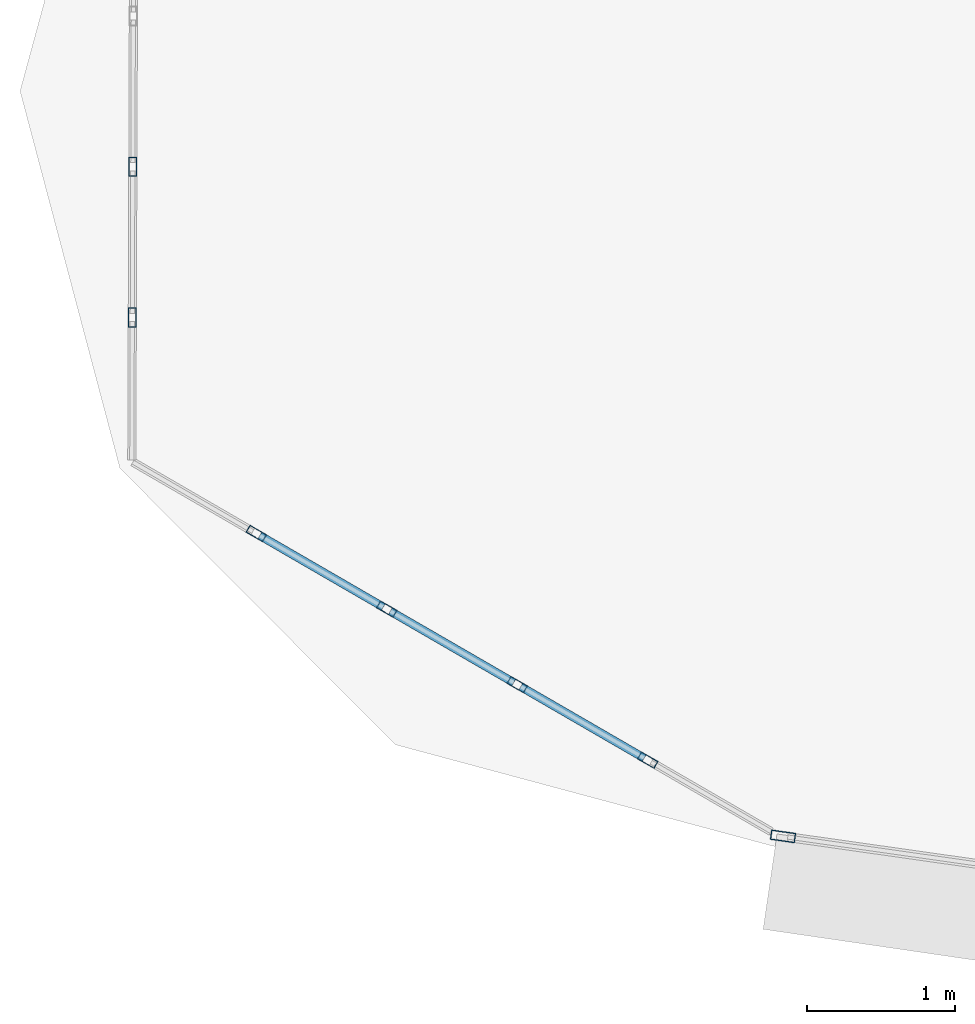
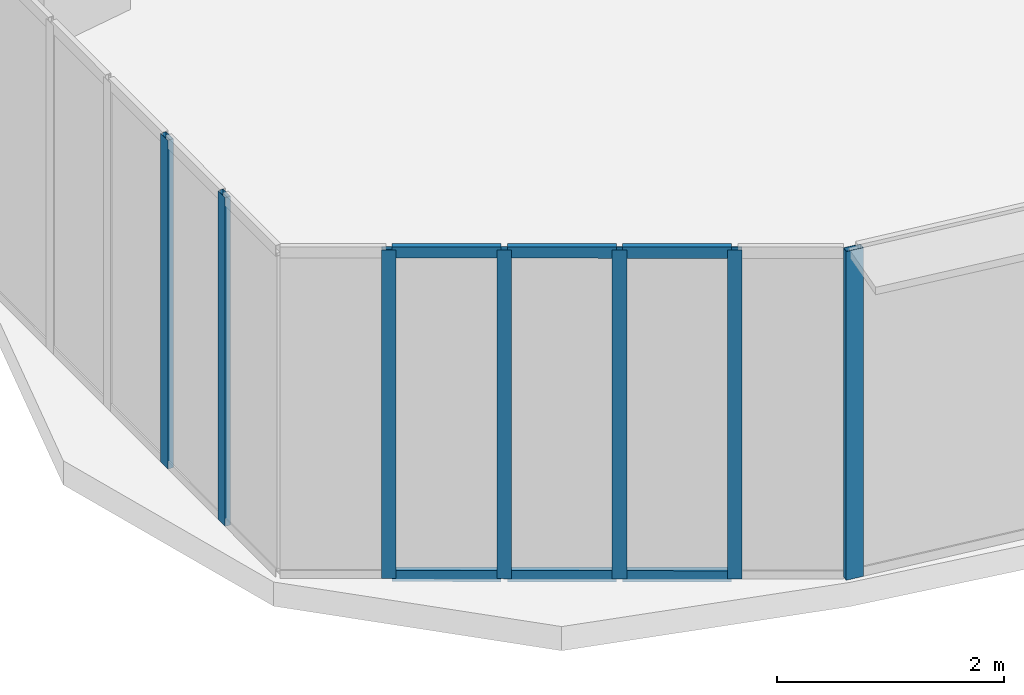
# One storey, part 2 of 41: 13 members, 3 elements without a shape of their own.
"""IFC4 building model written with IfcOpenShell, lengths in metres."""

from ifc_helpers import new_model, si_unit, direction, frame, origin, origin_2d, place, context, subcontext, project, spatial, hollow_rectangle, extrude, source, transform, mapped, material, layer, layer_set, material_profile, profile_set, type_object, element, aggregate, save


model = new_model("IFC4")

# Units and contexts
model_context = context("Model", 3, precision=1e-05, world=origin(), true_north=direction((0.0, 1.0)))
body_context = subcontext(model_context, "Body", "Model", "MODEL_VIEW")
ifc_project = project(units=[si_unit("LENGTHUNIT", "METRE"), si_unit("AREAUNIT", "SQUARE_METRE"), si_unit("VOLUMEUNIT", "CUBIC_METRE"), si_unit("PLANEANGLEUNIT", "RADIAN"), si_unit("MASSUNIT", "GRAM", prefix="KILO"), si_unit("THERMODYNAMICTEMPERATUREUNIT", "KELVIN"), si_unit("POWERUNIT", "WATT")], contexts=[model_context])

# Site, building, storey
site_placement = place(None, origin())
site = spatial("IfcSite", under=ifc_project, at=site_placement, CompositionType="ELEMENT")
building_placement = place(site_placement, origin())
building = spatial("IfcBuilding", under=site, at=building_placement, Name="Yunzhuo Pagoda Commons", CompositionType="ELEMENT")
storey_placement = place(building_placement, frame((0.0, 0.0, 111.580078125)))
storey = spatial("IfcBuildingStorey", under=building, at=storey_placement, Name="L28", CompositionType="ELEMENT", Elevation=111.580078125)

# Curtain wall, member
ifc_material = material(Name="Anodized aluminium 6063-T6", Category="aluminium")
ifc_layer_1 = layer(ifc_material, 0.1650390625)
ifc_layer_set_1 = layer_set([ifc_layer_1], Name="Anodized aluminium 6063-T6")
curtain_wall_type_1 = type_object("IfcCurtainWallType", Name="CW-LOW Low-Zone Ribbon Curtain Wall", PredefinedType="NOTDEFINED", material=ifc_layer_set_1)
curtain_wall_1_placement = place(storey_placement, origin())
curtain_wall_1 = element("IfcCurtainWall", 1, at=curtain_wall_1_placement, inside=storey, type_object=curtain_wall_type_1, Name="L28 curtain wall CW-L28-F1B1", PredefinedType="NOTDEFINED")
ifc_material_profile_1 = material_profile(ifc_material, hollow_rectangle(XDim=0.06494140625, YDim=0.1650390625, WallThickness=0.00390625, at=origin_2d()), Name="Anodized aluminium 6063-T6")
ifc_profile_set_1 = profile_set([ifc_material_profile_1], Name="Anodized aluminium 6063-T6")
member_type_1 = type_object("IfcMemberType", Name="CW-LOW-M Mullion RHS 165x65x4", PredefinedType="MULLION", material=ifc_profile_set_1)
shared_shape_1 = source(origin(), body_context, "Body", "SweptSolid", [
    extrude(hollow_rectangle(XDim=0.06494140625, YDim=0.1650390625, WallThickness=0.00390625, at=origin_2d()), origin(), (0.0, 0.0, 1.0), 3.5400390625),
])
member_1_placement = place(storey_placement, frame((11.386474609375, 15.7900390625, 0.0), z_axis=(0.0, 0.0, 1.0), x_axis=(0.140408035721, 0.990093724606, 0.0)))
member_1 = element("IfcMember", 2, at=member_1_placement, type_object=member_type_1, Name="CW mullion 1", PredefinedType="MULLION", context=body_context, shape_type="MappedRepresentation", body=[
    mapped(shared_shape_1, transform((0.0, 0.0, 0.0), scale=1.0)),
])
aggregate(curtain_wall_1, [member_1])

# Curtain wall, members
ifc_layer_2 = layer(ifc_material, 0.1298828125)
ifc_layer_set_2 = layer_set([ifc_layer_2], Name="Anodized aluminium 6063-T6")
curtain_wall_type_2 = type_object("IfcCurtainWallType", Name="CW-VTX Rounded Corner Curtain Wall", PredefinedType="NOTDEFINED", material=ifc_layer_set_2)
curtain_wall_2_placement = place(storey_placement, origin())
curtain_wall_2 = element("IfcCurtainWall", 3, at=curtain_wall_2_placement, inside=storey, type_object=curtain_wall_type_2, Name="L28 curtain wall CW-L28-VTX1S1", PredefinedType="NOTDEFINED")
ifc_material_profile_2 = material_profile(ifc_material, hollow_rectangle(XDim=0.054931640625, YDim=0.1298828125, WallThickness=0.00341796875, at=origin_2d()), Name="Anodized aluminium 6063-T6")
ifc_profile_set_2 = profile_set([ifc_material_profile_2], Name="Anodized aluminium 6063-T6")
member_type_2 = type_object("IfcMemberType", Name="CW-VTX-M Mullion RHS 130x55x3.5", PredefinedType="MULLION", material=ifc_profile_set_2)
shared_shape_2 = source(origin(), body_context, "Body", "SweptSolid", [
    extrude(hollow_rectangle(XDim=0.054931640625, YDim=0.1298828125, WallThickness=0.00341796875, at=origin_2d()), origin(), (0.0, 0.0, 1.0), 3.5400390625),
])
member_2_placement = place(storey_placement, frame((7.001220703125, 20.30615234375, 0.0), z_axis=(0.0, 0.0, 1.0), x_axis=(0.999993522017, -0.003599433805, 0.0)))
member_2 = element("IfcMember", 4, at=member_2_placement, type_object=member_type_2, Name="CW mullion 4", PredefinedType="MULLION", context=body_context, shape_type="MappedRepresentation", body=[
    mapped(shared_shape_2, transform((0.0, 0.0, 0.0), scale=1.0)),
])
member_3_placement = place(storey_placement, frame((6.99755859375, 19.289306640625, 0.0), z_axis=(0.0, 0.0, 1.0), x_axis=(0.999993522017, -0.003599433805, 0.0)))
member_3 = element("IfcMember", 5, at=member_3_placement, type_object=member_type_2, Name="CW mullion 5", PredefinedType="MULLION", context=body_context, shape_type="MappedRepresentation", body=[
    mapped(shared_shape_2, transform((0.0, 0.0, 0.0), scale=1.0)),
])
aggregate(curtain_wall_2, [member_2, member_3])

curtain_wall_3_placement = place(storey_placement, origin())
curtain_wall_3 = element("IfcCurtainWall", 6, at=curtain_wall_3_placement, inside=storey, type_object=curtain_wall_type_2, Name="L28 curtain wall CW-L28-VTX1S2", PredefinedType="NOTDEFINED")
member_4_placement = place(storey_placement, frame((7.833984375, 17.832763671875, 0.0), z_axis=(0.0, 0.0, 1.0), x_axis=(0.501032393989, 0.865428529789, 0.0)))
member_4 = element("IfcMember", 7, at=member_4_placement, type_object=member_type_2, Name="CW mullion 2", PredefinedType="MULLION", context=body_context, shape_type="MappedRepresentation", body=[
    mapped(shared_shape_2, transform((0.0, 0.0, 0.0), scale=1.0)),
])
member_5_placement = place(storey_placement, frame((8.714111328125, 17.322998046875, 0.0), z_axis=(0.0, 0.0, 1.0), x_axis=(0.501032393989, 0.865428529789, 0.0)))
member_5 = element("IfcMember", 8, at=member_5_placement, type_object=member_type_2, Name="CW mullion 3", PredefinedType="MULLION", context=body_context, shape_type="MappedRepresentation", body=[
    mapped(shared_shape_2, transform((0.0, 0.0, 0.0), scale=1.0)),
])
member_6_placement = place(storey_placement, frame((9.593994140625, 16.8134765625, 0.0), z_axis=(0.0, 0.0, 1.0), x_axis=(0.501032393989, 0.865428529789, 0.0)))
member_6 = element("IfcMember", 9, at=member_6_placement, type_object=member_type_2, Name="CW mullion 4", PredefinedType="MULLION", context=body_context, shape_type="MappedRepresentation", body=[
    mapped(shared_shape_2, transform((0.0, 0.0, 0.0), scale=1.0)),
])
member_7_placement = place(storey_placement, frame((10.47412109375, 16.303955078125, 0.0), z_axis=(0.0, 0.0, 1.0), x_axis=(0.501032393989, 0.865428529789, 0.0)))
member_7 = element("IfcMember", 10, at=member_7_placement, type_object=member_type_2, Name="CW mullion 5", PredefinedType="MULLION", context=body_context, shape_type="MappedRepresentation", body=[
    mapped(shared_shape_2, transform((0.0, 0.0, 0.0), scale=1.0)),
])
ifc_material_profile_3 = material_profile(ifc_material, hollow_rectangle(XDim=0.054931640625, YDim=0.1201171875, WallThickness=0.00341796875, at=origin_2d()), Name="Anodized aluminium 6063-T6")
ifc_profile_set_3 = profile_set([ifc_material_profile_3], Name="Anodized aluminium 6063-T6")
member_type_3 = type_object("IfcMemberType", Name="CW-VTX-T Transom RHS 120x55x3.5", PredefinedType="USERDEFINED", material=ifc_profile_set_3)
shared_shape_3 = source(origin(), body_context, "Body", "SweptSolid", [
    extrude(hollow_rectangle(XDim=0.054931640625, YDim=0.1201171875, WallThickness=0.00341796875, at=origin_2d()), origin(), (0.0, 0.0, 1.0), 0.962158203125),
])
member_8_placement = place(storey_placement, frame((7.85791015625, 17.81884765625, 0.02734375), z_axis=(0.865339402636, -0.501186310911, 0.0), x_axis=(0.501186310911, 0.865339402636, 0.0)))
member_8 = element("IfcMember", 11, at=member_8_placement, type_object=member_type_3, Name="CW transom 2.1", ObjectType="TRANSOM", PredefinedType="USERDEFINED", context=body_context, shape_type="MappedRepresentation", body=[
    mapped(shared_shape_3, transform((0.0, 0.0, 0.0), scale=1.0)),
])
member_9_placement = place(storey_placement, frame((7.85791015625, 17.81884765625, 3.512451171875), z_axis=(0.865339402636, -0.501186310911, 0.0), x_axis=(0.501186310911, 0.865339402636, 0.0)))
member_9 = element("IfcMember", 12, at=member_9_placement, type_object=member_type_3, Name="CW transom 2.2", ObjectType="TRANSOM", PredefinedType="USERDEFINED", context=body_context, shape_type="MappedRepresentation", body=[
    mapped(shared_shape_3, transform((0.0, 0.0, 0.0), scale=1.0)),
])
member_10_placement = place(storey_placement, frame((8.73779296875, 17.30908203125, 0.02734375), z_axis=(0.865513134281, -0.500886228986, 0.0), x_axis=(0.500886228986, 0.865513134281, 0.0)))
member_10 = element("IfcMember", 13, at=member_10_placement, type_object=member_type_3, Name="CW transom 3.1", ObjectType="TRANSOM", PredefinedType="USERDEFINED", context=body_context, shape_type="MappedRepresentation", body=[
    mapped(shared_shape_3, transform((0.0, 0.0, 0.0), scale=1.0)),
])
member_11_placement = place(storey_placement, frame((8.73779296875, 17.30908203125, 3.512451171875), z_axis=(0.865513134281, -0.500886228986, 0.0), x_axis=(0.500886228986, 0.865513134281, 0.0)))
member_11 = element("IfcMember", 14, at=member_11_placement, type_object=member_type_3, Name="CW transom 3.2", ObjectType="TRANSOM", PredefinedType="USERDEFINED", context=body_context, shape_type="MappedRepresentation", body=[
    mapped(shared_shape_3, transform((0.0, 0.0, 0.0), scale=1.0)),
])
shared_shape_4 = source(origin(), body_context, "Body", "SweptSolid", [
    extrude(hollow_rectangle(XDim=0.054931640625, YDim=0.1201171875, WallThickness=0.00341796875, at=origin_2d()), origin(), (0.0, 0.0, 1.0), 0.961669921875),
])
member_12_placement = place(storey_placement, frame((9.617919921875, 16.7998046875, 0.02734375), z_axis=(0.865385729326, -0.501106315544, 0.0), x_axis=(0.501106315544, 0.865385729326, 0.0)))
member_12 = element("IfcMember", 15, at=member_12_placement, type_object=member_type_3, Name="CW transom 4.1", ObjectType="TRANSOM", PredefinedType="USERDEFINED", context=body_context, shape_type="MappedRepresentation", body=[
    mapped(shared_shape_4, transform((0.0, 0.0, 0.0), scale=1.0)),
])
member_13_placement = place(storey_placement, frame((9.617919921875, 16.7998046875, 3.512451171875), z_axis=(0.865385729326, -0.501106315544, 0.0), x_axis=(0.501106315544, 0.865385729326, 0.0)))
member_13 = element("IfcMember", 16, at=member_13_placement, type_object=member_type_3, Name="CW transom 4.2", ObjectType="TRANSOM", PredefinedType="USERDEFINED", context=body_context, shape_type="MappedRepresentation", body=[
    mapped(shared_shape_4, transform((0.0, 0.0, 0.0), scale=1.0)),
])
aggregate(curtain_wall_3, [member_4, member_5, member_6, member_7, member_8, member_9, member_10, member_11, member_12, member_13])

save(model, "model.ifc")
